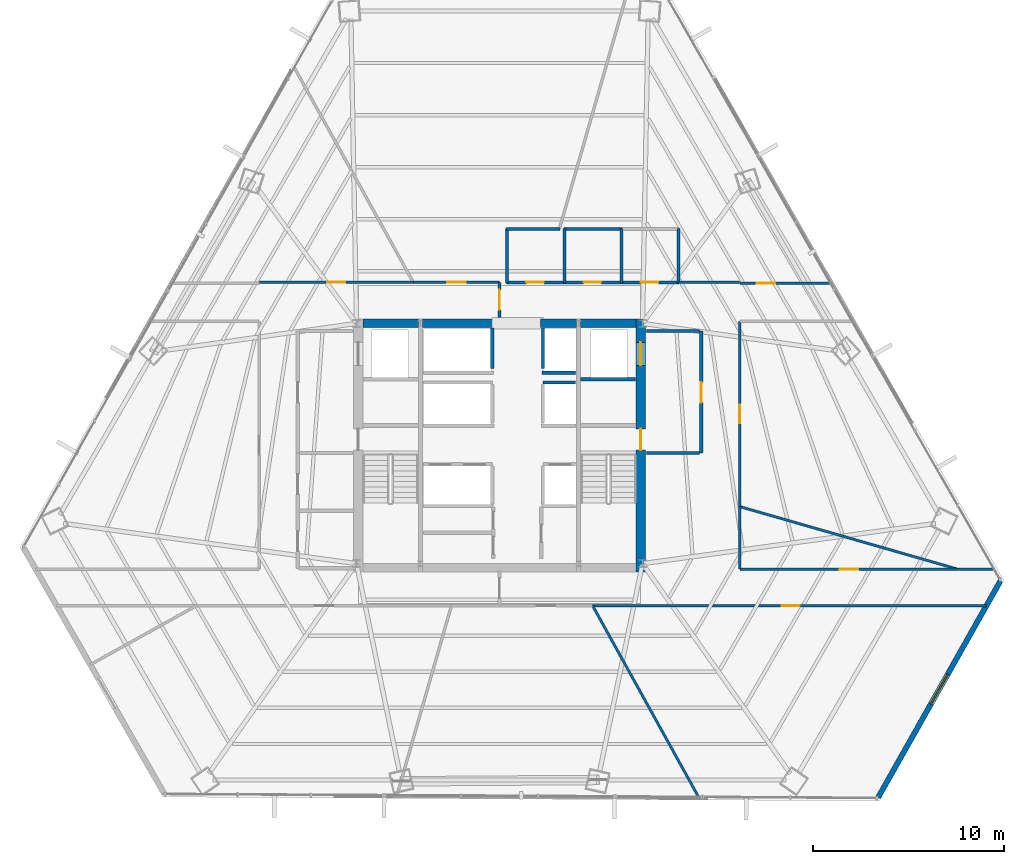
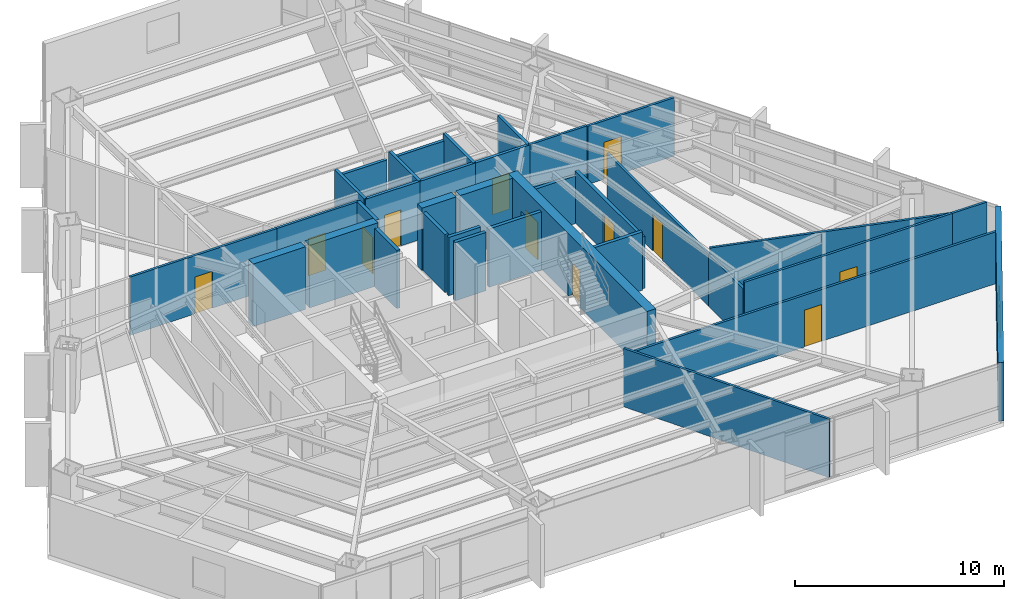
# One storey, part 31 of 35: 35 walls, 13 doors, 1 window, 14 openings.
"""IFC4 building model written with IfcOpenShell, lengths in metres."""

from ifc_helpers import new_model, si_unit, direction, frame, frame_2d, origin, place, context, subcontext, project, spatial, rectangle, extrude, material, layer, layer_set, type_object, element, fill, save


model = new_model("IFC4")

# Units and contexts
model_context = context("Model", 3, precision=1e-05, world=origin(), true_north=direction((0.0, 1.0)))
body_context = subcontext(model_context, "Body", "Model", "MODEL_VIEW")
ifc_project = project(units=[si_unit("LENGTHUNIT", "METRE"), si_unit("AREAUNIT", "SQUARE_METRE"), si_unit("VOLUMEUNIT", "CUBIC_METRE"), si_unit("PLANEANGLEUNIT", "RADIAN"), si_unit("MASSUNIT", "GRAM", prefix="KILO")], contexts=[model_context])

# Site, building, storey
site_placement = place(None, origin())
site = spatial("IfcSite", under=ifc_project, at=site_placement, CompositionType="ELEMENT")
building_placement = place(site_placement, origin())
building = spatial("IfcBuilding", under=site, at=building_placement, Name="Caelisora Broadcast Tower", CompositionType="ELEMENT")
storey_placement = place(building_placement, frame((0.0, 0.0, 87.14990234375)))
storey = spatial("IfcBuildingStorey", under=building, at=storey_placement, Name="L22", CompositionType="ELEMENT", Elevation=87.14990234375)

# Wall, openings, doors
ifc_material_1 = material(Name="Concrete 50 MPa (AS 3600 S50)", Category="concrete")
ifc_layer_1 = layer(ifc_material_1, 0.5, Name="Concrete 50 MPa (AS 3600 S50)")
ifc_layer_set_1 = layer_set([ifc_layer_1], Name="Concrete 50 MPa (AS 3600 S50)")
wall_type_1 = type_object("IfcWallType", Name="CW2", PredefinedType="SHEAR", material=ifc_layer_set_1)
wall_1_placement = place(storey_placement, frame((45.409912109375, 16.949951171875, 0.0), z_axis=(0.0, 0.0, 1.0), x_axis=(0.0, 1.0, 0.0)))
wall_1 = element("IfcWall", 1, at=wall_1_placement, inside=storey, type_object=wall_type_1, Name="L22 core shear wall CW2", PredefinedType="SHEAR", context=body_context, shape_type="SweptSolid", body=[
    extrude(rectangle(XDim=13.275146484375, YDim=0.5, at=frame_2d((6.6376953125, 0.0))), origin(), (0.0, 0.0, 1.0), 3.650146484375),
])
opening_1_placement = place(wall_1_placement, frame((6.39990234375, 0.0, 0.0)))
opening_1 = element("IfcOpeningElement", 2, at=opening_1_placement, cuts=wall_1, Name="Opening FD04", PredefinedType="OPENING", context=body_context, shape_type="SweptSolid", body=[
    extrude(rectangle(XDim=1.1201171875, YDim=2.14990234375, at=frame_2d((0.56005859375, 1.074951171875))), frame((0.0, 0.261962890625, 0.0), z_axis=(0.0, -1.0, 0.0), x_axis=(1.0, 0.0, 0.0)), (0.0, 0.0, 1.0), 0.52392578125),
])
opening_2_placement = place(wall_1_placement, frame((10.85009765625, 0.0, 0.0)))
opening_2 = element("IfcOpeningElement", 3, at=opening_2_placement, cuts=wall_1, Name="Opening LD04", PredefinedType="OPENING", context=body_context, shape_type="SweptSolid", body=[
    extrude(rectangle(XDim=1.199951171875, YDim=2.199951171875, at=frame_2d((0.60009765625, 1.10009765625))), frame((0.0, 0.261962890625, 0.0), z_axis=(0.0, -1.0, 0.0), x_axis=(1.0, 0.0, 0.0)), (0.0, 0.0, 1.0), 0.52392578125),
])
ifc_material_2 = material(Name="Pressurised Fire-Isolated Stair Door", Category="steel")
door_type_1 = type_object("IfcDoorType", Name="FD04", OperationType="NOTDEFINED", PredefinedType="DOOR", material=ifc_material_2)
door_1_placement = place(opening_1_placement, origin())
door_1 = element("IfcDoor", 4, at=door_1_placement, inside=storey, type_object=door_type_1, Name="L22 door FD04 (L22-DR-ST2)", OperationType="SINGLE_SWING_RIGHT", OverallHeight=2.14990234375, OverallWidth=1.1201171875, PredefinedType="DOOR", context=body_context, shape_type="SweptSolid", body=[
    extrude(rectangle(XDim=1.1201171875, YDim=2.14990234375, at=frame_2d((0.56005859375, 1.074951171875))), frame((0.0, 0.02490234375, 0.0), z_axis=(0.0, -1.0, 0.0), x_axis=(1.0, 0.0, 0.0)), (0.0, 0.0, 1.0), 0.050048828125),
])
fill(opening_1, door_1)
ifc_material_3 = material(Name="Emergency Firefighting Lift Sliding Landing Door", Category="steel")
door_type_2 = type_object("IfcDoorType", Name="LD04", OperationType="NOTDEFINED", PredefinedType="DOOR", material=ifc_material_3)
door_2_placement = place(opening_2_placement, origin())
door_2 = element("IfcDoor", 5, at=door_2_placement, inside=storey, type_object=door_type_2, Name="L22 door LD04 (L22-LD-FFL2)", OperationType="SLIDING_TO_RIGHT", OverallHeight=2.199951171875, OverallWidth=1.199951171875, PredefinedType="DOOR", context=body_context, shape_type="SweptSolid", body=[
    extrude(rectangle(XDim=1.199951171875, YDim=2.199951171875, at=frame_2d((0.60009765625, 1.10009765625))), frame((0.0, 0.02490234375, 0.0), z_axis=(0.0, -1.0, 0.0), x_axis=(1.0, 0.0, 0.0)), (0.0, 0.0, 1.0), 0.050048828125),
])
fill(opening_2, door_2)

# Walls
ifc_layer_2 = layer(ifc_material_1, 0.449951171875, Name="Concrete 50 MPa (AS 3600 S50)")
ifc_layer_set_2 = layer_set([ifc_layer_2], Name="Concrete 50 MPa (AS 3600 S50)")
wall_type_2 = type_object("IfcWallType", Name="CW5", PredefinedType="SHEAR", material=ifc_layer_set_2)
wall_2_placement = place(storey_placement, frame((30.840087890625, 30.0, 0.0), z_axis=(0.0, 0.0, 1.0), x_axis=(1.0, 0.0, 0.0)))
element("IfcWall", 6, at=wall_2_placement, inside=storey, type_object=wall_type_2, Name="L22 core shear wall CW5", PredefinedType="SHEAR", context=body_context, shape_type="SweptSolid", body=[
    extrude(rectangle(XDim=2.89990234375, YDim=0.449951171875, at=frame_2d((1.449951171875, 0.0))), origin(), (0.0, 0.0, 1.0), 3.650146484375),
])
wall_3_placement = place(storey_placement, frame((33.9599609375, 30.0, 0.0), z_axis=(0.0, 0.0, 1.0), x_axis=(1.0, 0.0, 0.0)))
element("IfcWall", 7, at=wall_3_placement, inside=storey, type_object=wall_type_2, Name="L22 core shear wall CW5", PredefinedType="SHEAR", context=body_context, shape_type="SweptSolid", body=[
    extrude(rectangle(XDim=3.780029296875, YDim=0.449951171875, at=frame_2d((1.89013671875, 0.0))), origin(), (0.0, 0.0, 1.0), 3.650146484375),
])
wall_4_placement = place(storey_placement, frame((40.159912109375, 30.0, 0.0), z_axis=(0.0, 0.0, 1.0), x_axis=(1.0, 0.0, 0.0)))
element("IfcWall", 8, at=wall_4_placement, inside=storey, type_object=wall_type_2, Name="L22 core shear wall CW5", PredefinedType="SHEAR", context=body_context, shape_type="SweptSolid", body=[
    extrude(rectangle(XDim=1.880126953125, YDim=0.449951171875, at=frame_2d((0.93994140625, 0.0))), origin(), (0.0, 0.0, 1.0), 3.650146484375),
])
wall_5_placement = place(storey_placement, frame((42.260009765625, 30.0, 0.0), z_axis=(0.0, 0.0, 1.0), x_axis=(1.0, 0.0, 0.0)))
element("IfcWall", 9, at=wall_5_placement, inside=storey, type_object=wall_type_2, Name="L22 core shear wall CW5", PredefinedType="SHEAR", context=body_context, shape_type="SweptSolid", body=[
    extrude(rectangle(XDim=2.89990234375, YDim=0.449951171875, at=frame_2d((1.449951171875, 0.0))), origin(), (0.0, 0.0, 1.0), 3.650146484375),
])

# Wall, opening, window
ifc_material_4 = material(Name="Insulated Terracotta Spandrel Wall System", Category="masonry")
ifc_layer_3 = layer(ifc_material_4, 0.280029296875, Name="Insulated Terracotta Spandrel Wall System")
ifc_layer_set_3 = layer_set([ifc_layer_3], Name="Insulated Terracotta Spandrel Wall System")
wall_type_3 = type_object("IfcWallType", Name="EW1", PredefinedType="STANDARD", material=ifc_layer_set_3)
wall_6_placement = place(storey_placement, frame((64.274169921875, 16.489013671875, 0.0), z_axis=(0.0, 0.0, 1.0), x_axis=(-0.491673093899, -0.870779862385, 0.0)))
wall_6 = element("IfcWall", 10, at=wall_6_placement, inside=storey, type_object=wall_type_3, Name="L22 exterior envelope wall EW1", PredefinedType="STANDARD", context=body_context, shape_type="SweptSolid", body=[
    extrude(rectangle(XDim=13.0478515625, YDim=0.280029296875, at=frame_2d((6.52392578125, 0.0))), origin(), (0.0, 0.0, 1.0), 3.400146484375),
])
opening_3_placement = place(wall_6_placement, frame((5.6201171875, 0.0, 0.89990234375)))
opening_3 = element("IfcOpeningElement", 11, at=opening_3_placement, cuts=wall_6, Name="Opening W01", PredefinedType="OPENING", context=body_context, shape_type="SweptSolid", body=[
    extrude(rectangle(XDim=1.800048828125, YDim=1.800048828125, at=frame_2d((0.89990234375, 0.89990234375))), frame((0.0, 0.152099609375, 0.0), z_axis=(0.0, -1.0, 0.0), x_axis=(1.0, 0.0, 0.0)), (0.0, 0.0, 1.0), 0.303955078125),
])
ifc_material_5 = material(Name="Double Glazed Terracotta-Framed Vision Window", Category="glass")
window_type = type_object("IfcWindowType", Name="W01", PartitioningType="SINGLE_PANEL", PredefinedType="WINDOW", material=ifc_material_5)
window_placement = place(opening_3_placement, origin())
window = element("IfcWindow", 12, at=window_placement, inside=storey, type_object=window_type, Name="L22 window W01 (L22-WN-CH0)", OverallHeight=1.800048828125, OverallWidth=1.800048828125, PartitioningType="SINGLE_PANEL", PredefinedType="WINDOW", context=body_context, shape_type="SweptSolid", body=[
    extrude(rectangle(XDim=1.800048828125, YDim=1.800048828125, at=frame_2d((0.89990234375, 0.89990234375))), frame((0.0, 0.030029296875, 0.0), z_axis=(0.0, -1.0, 0.0), x_axis=(1.0, 0.0, 0.0)), (0.0, 0.0, 1.0), 0.06005859375),
])
fill(opening_3, window)

# Walls
ifc_material_6 = material(Name="Fire-Rated Gypsum Shaft and Compartment Wall", Category="gypsum")
ifc_layer_4 = layer(ifc_material_6, 0.179931640625, Name="Fire-Rated Gypsum Shaft and Compartment Wall")
ifc_layer_set_4 = layer_set([ifc_layer_4], Name="Fire-Rated Gypsum Shaft and Compartment Wall")
wall_type_4 = type_object("IfcWallType", Name="PW2", PredefinedType="PARTITIONING", material=ifc_layer_set_4)
wall_7_placement = place(storey_placement, frame((40.280029296875, 26.89990234375, 0.0), z_axis=(0.0, 0.0, 1.0), x_axis=(1.0, 0.0, 0.0)))
element("IfcWall", 13, at=wall_7_placement, inside=storey, type_object=wall_type_4, Name="L22 fire compartment wall PW2", PredefinedType="PARTITIONING", context=body_context, shape_type="SweptSolid", body=[
    extrude(rectangle(XDim=1.699951171875, YDim=0.179931640625, at=frame_2d((0.85009765625, 0.0))), origin(), (0.0, 0.0, 1.0), 3.400146484375),
])
wall_8_placement = place(storey_placement, frame((40.219970703125, 27.419921875, 0.0), z_axis=(0.0, 0.0, 1.0), x_axis=(1.0, 0.0, 0.0)))
element("IfcWall", 14, at=wall_8_placement, inside=storey, type_object=wall_type_4, Name="L22 fire compartment wall PW2", PredefinedType="PARTITIONING", context=body_context, shape_type="SweptSolid", body=[
    extrude(rectangle(XDim=1.760009765625, YDim=0.179931640625, at=frame_2d((0.8798828125, 0.0))), origin(), (0.0, 0.0, 1.0), 3.400146484375),
])
for number, where, z_axis, x_axis, name in (
    (15, (37.6201171875, 27.639892578125, 0.0), (0.0, 0.0, 1.0), (0.0, 1.0, 0.0), "L22 fire compartment wall PW2"),
    (16, (40.280029296875, 27.639892578125, 0.0), (0.0, 0.0, 1.0), (0.0, 1.0, 0.0), "L22 fire compartment wall PW2"),
):
    element("IfcWall", number, at=place(storey_placement, frame(where, z_axis=z_axis, x_axis=x_axis)), inside=storey, type_object=wall_type_4, Name=name, PredefinedType="PARTITIONING", context=body_context, shape_type="SweptSolid", body=[
        extrude(rectangle(XDim=2.110107421875, YDim=0.179931640625, at=frame_2d((1.05517578125, 0.0))), origin(), (0.0, 0.0, 1.0), 3.400146484375),
    ])

# Wall, opening, door
wall_9_placement = place(storey_placement, frame((48.580078125, 23.199951171875, 0.0), z_axis=(0.0, 0.0, 1.0), x_axis=(0.0, 1.0, 0.0)))
wall_9 = element("IfcWall", 17, at=wall_9_placement, inside=storey, type_object=wall_type_4, Name="L22 fire compartment wall PW2", PredefinedType="PARTITIONING", context=body_context, shape_type="SweptSolid", body=[
    extrude(rectangle(XDim=6.400146484375, YDim=0.179931640625, at=frame_2d((3.2001953125, 0.0))), origin(), (0.0, 0.0, 1.0), 3.026611328125),
])
opening_4_placement = place(wall_9_placement, frame((2.64990234375, 0.0, 0.0)))
opening_4 = element("IfcOpeningElement", 18, at=opening_4_placement, cuts=wall_9, Name="Opening FD02", PredefinedType="OPENING", context=body_context, shape_type="SweptSolid", body=[
    extrude(rectangle(XDim=1.050048828125, YDim=2.14990234375, at=frame_2d((0.52490234375, 1.074951171875))), frame((0.0, 0.10205078125, 0.0), z_axis=(0.0, -1.0, 0.0), x_axis=(1.0, 0.0, 0.0)), (0.0, 0.0, 1.0), 0.203857421875),
])
ifc_material_7 = material(Name="Single-Leaf Steel Fire Lobby Door", Category="steel")
door_type_3 = type_object("IfcDoorType", Name="FD02", OperationType="NOTDEFINED", PredefinedType="DOOR", material=ifc_material_7)
door_3_placement = place(opening_4_placement, origin())
door_3 = element("IfcDoor", 19, at=door_3_placement, inside=storey, type_object=door_type_3, Name="L22 door FD02 (L22-DR-P04D1)", OperationType="SINGLE_SWING_RIGHT", OverallHeight=2.14990234375, OverallWidth=1.050048828125, PredefinedType="DOOR", context=body_context, shape_type="SweptSolid", body=[
    extrude(rectangle(XDim=1.050048828125, YDim=2.14990234375, at=frame_2d((0.52490234375, 1.074951171875))), frame((0.0, 0.02490234375, 0.0), z_axis=(0.0, -1.0, 0.0), x_axis=(1.0, 0.0, 0.0)), (0.0, 0.0, 1.0), 0.050048828125),
])
fill(opening_4, door_3)

# Walls
wall_10_placement = place(storey_placement, frame((45.719970703125, 23.199951171875, 0.0), z_axis=(0.0, 0.0, 1.0), x_axis=(1.0, 0.0, 0.0)))
element("IfcWall", 20, at=wall_10_placement, inside=storey, type_object=wall_type_4, Name="L22 fire compartment wall PW2", PredefinedType="PARTITIONING", context=body_context, shape_type="SweptSolid", body=[
    extrude(rectangle(XDim=2.760009765625, YDim=0.179931640625, at=frame_2d((1.3798828125, 0.0))), origin(), (0.0, 0.0, 1.0), 3.400146484375),
])
wall_11_placement = place(storey_placement, frame((45.719970703125, 29.60009765625, 0.0), z_axis=(0.0, 0.0, 1.0), x_axis=(1.0, 0.0, 0.0)))
element("IfcWall", 21, at=wall_11_placement, inside=storey, type_object=wall_type_4, Name="L22 fire compartment wall PW2", PredefinedType="PARTITIONING", context=body_context, shape_type="SweptSolid", body=[
    extrude(rectangle(XDim=2.760009765625, YDim=0.179931640625, at=frame_2d((1.3798828125, 0.0))), origin(), (0.0, 0.0, 1.0), 2.782958984375),
])
wall_12_placement = place(storey_placement, frame((42.239990234375, 27.070068359375, 0.0), z_axis=(0.0, 0.0, 1.0), x_axis=(1.0, 0.0, 0.0)))
element("IfcWall", 22, at=wall_12_placement, inside=storey, type_object=wall_type_4, Name="L22 fire compartment wall PW2", PredefinedType="PARTITIONING", context=body_context, shape_type="SweptSolid", body=[
    extrude(rectangle(XDim=2.89990234375, YDim=0.179931640625, at=frame_2d((1.449951171875, 0.0))), origin(), (0.0, 0.0, 1.0), 3.400146484375),
])

# Wall, opening, door
wall_13_placement = place(storey_placement, frame((38.0, 30.320068359375, 0.0), z_axis=(0.0, 0.0, 1.0), x_axis=(0.0, 1.0, 0.0)))
wall_13 = element("IfcWall", 23, at=wall_13_placement, inside=storey, type_object=wall_type_4, Name="L22 fire compartment wall PW2", PredefinedType="PARTITIONING", context=body_context, shape_type="SweptSolid", body=[
    extrude(rectangle(XDim=1.824951171875, YDim=0.179931640625, at=frame_2d((0.91259765625, 0.0))), origin(), (0.0, 0.0, 1.0), 3.400146484375),
])
opening_5_placement = place(wall_13_placement, frame((0.387939453125, 0.0, 0.0)))
opening_5 = element("IfcOpeningElement", 24, at=opening_5_placement, cuts=wall_13, Name="Opening FD02", PredefinedType="OPENING", context=body_context, shape_type="SweptSolid", body=[
    extrude(rectangle(XDim=1.050048828125, YDim=2.14990234375, at=frame_2d((0.52490234375, 1.074951171875))), frame((0.0, 0.10205078125, 0.0), z_axis=(0.0, -1.0, 0.0), x_axis=(1.0, 0.0, 0.0)), (0.0, 0.0, 1.0), 0.203857421875),
])
door_4_placement = place(opening_5_placement, origin())
door_4 = element("IfcDoor", 25, at=door_4_placement, inside=storey, type_object=door_type_3, Name="L22 door FD02 (L22-DR-P52D1)", OperationType="SINGLE_SWING_LEFT", OverallHeight=2.14990234375, OverallWidth=1.050048828125, PredefinedType="DOOR", context=body_context, shape_type="SweptSolid", body=[
    extrude(rectangle(XDim=1.050048828125, YDim=2.14990234375, at=frame_2d((0.52490234375, 1.074951171875))), frame((0.0, 0.02490234375, 0.0), z_axis=(0.0, -1.0, 0.0), x_axis=(1.0, 0.0, 0.0)), (0.0, 0.0, 1.0), 0.050048828125),
])
fill(opening_5, door_4)

ifc_material_8 = material(Name="Acoustic Steel-Stud Plasterboard Partition", Category="gypsum")
ifc_layer_5 = layer(ifc_material_8, 0.1298828125, Name="Acoustic Steel-Stud Plasterboard Partition")
ifc_layer_set_5 = layer_set([ifc_layer_5], Name="Acoustic Steel-Stud Plasterboard Partition")
wall_type_5 = type_object("IfcWallType", Name="PW3", PredefinedType="PARTITIONING", material=ifc_layer_set_5)
wall_14_placement = place(storey_placement, frame((42.885009765625, 15.199951171875, 0.0), z_axis=(0.0, 0.0, 1.0), x_axis=(1.0, 0.0, 0.0)))
wall_14 = element("IfcWall", 26, at=wall_14_placement, inside=storey, type_object=wall_type_5, Name="L22 internal partition PW3", PredefinedType="PARTITIONING", context=body_context, shape_type="SweptSolid", body=[
    extrude(rectangle(XDim=20.667724609375, YDim=0.1298828125, at=frame_2d((10.333984375, 0.0))), origin(), (0.0, 0.0, 1.0), 3.026611328125),
])
opening_6_placement = place(wall_14_placement, frame((9.906982421875, 0.0, 0.0)))
opening_6 = element("IfcOpeningElement", 27, at=opening_6_placement, cuts=wall_14, Name="Opening D01", PredefinedType="OPENING", context=body_context, shape_type="SweptSolid", body=[
    extrude(rectangle(XDim=0.9599609375, YDim=2.14990234375, at=frame_2d((0.47998046875, 1.074951171875))), frame((0.0, 0.076904296875, 0.0), z_axis=(0.0, -1.0, 0.0), x_axis=(1.0, 0.0, 0.0)), (0.0, 0.0, 1.0), 0.15380859375),
])
ifc_material_9 = material(Name="Solid-Core Timber Acoustic Office Door", Category="wood")
door_type_4 = type_object("IfcDoorType", Name="D01", OperationType="NOTDEFINED", PredefinedType="DOOR", material=ifc_material_9)
door_5_placement = place(opening_6_placement, origin())
door_5 = element("IfcDoor", 28, at=door_5_placement, inside=storey, type_object=door_type_4, Name="L22 door D01 (L22-DR-P27D1)", OperationType="SINGLE_SWING_LEFT", OverallHeight=2.14990234375, OverallWidth=0.9599609375, PredefinedType="DOOR", context=body_context, shape_type="SweptSolid", body=[
    extrude(rectangle(XDim=0.9599609375, YDim=2.14990234375, at=frame_2d((0.47998046875, 1.074951171875))), frame((0.0, 0.02490234375, 0.0), z_axis=(0.0, -1.0, 0.0), x_axis=(1.0, 0.0, 0.0)), (0.0, 0.0, 1.0), 0.050048828125),
])
fill(opening_6, door_5)

# Walls
wall_15_placement = place(storey_placement, frame((50.60498046875, 20.388916015625, 0.0), z_axis=(0.0, 0.0, 1.0), x_axis=(0.961158846522, -0.27599578213, 0.0)))
element("IfcWall", 29, at=wall_15_placement, inside=storey, type_object=wall_type_5, Name="L22 internal partition PW3", PredefinedType="PARTITIONING", context=body_context, shape_type="SweptSolid", body=[
    extrude(rectangle(XDim=11.91259765625, YDim=0.1298828125, at=frame_2d((5.956298828125, 0.0))), origin(), (0.0, 0.0, 1.0), 3.400146484375),
])
wall_16_placement = place(storey_placement, frame((42.882080078125, 15.196044921875, 0.0), z_axis=(0.0, 0.0, 1.0), x_axis=(0.48440798197, -0.874842218348, 0.0)))
element("IfcWall", 30, at=wall_16_placement, inside=storey, type_object=wall_type_5, Name="L22 internal partition PW3", PredefinedType="PARTITIONING", context=body_context, shape_type="SweptSolid", body=[
    extrude(rectangle(XDim=11.485595703125, YDim=0.1298828125, at=frame_2d((5.74267578125, 0.0))), origin(), (0.0, 0.0, 1.0), 3.400146484375),
])

# Wall, opening, door
wall_17_placement = place(storey_placement, frame((62.054931640625, 17.10009765625, 0.0), z_axis=(0.0, 0.0, 1.0), x_axis=(-1.0, 0.0, 0.0)))
wall_17 = element("IfcWall", 31, at=wall_17_placement, inside=storey, type_object=wall_type_5, Name="L22 internal partition PW3", PredefinedType="PARTITIONING", context=body_context, shape_type="SweptSolid", body=[
    extrude(rectangle(XDim=11.449951171875, YDim=0.1298828125, at=frame_2d((5.72509765625, 0.0))), origin(), (0.0, 0.0, 1.0), 3.400146484375),
])
opening_7_placement = place(wall_17_placement, frame((5.2451171875, 0.0, 0.0)))
opening_7 = element("IfcOpeningElement", 32, at=opening_7_placement, cuts=wall_17, Name="Opening D01", PredefinedType="OPENING", context=body_context, shape_type="SweptSolid", body=[
    extrude(rectangle(XDim=0.9599609375, YDim=2.14990234375, at=frame_2d((0.47998046875, 1.074951171875))), frame((0.0, 0.076904296875, 0.0), z_axis=(0.0, -1.0, 0.0), x_axis=(1.0, 0.0, 0.0)), (0.0, 0.0, 1.0), 0.15380859375),
])
door_6_placement = place(opening_7_placement, origin())
door_6 = element("IfcDoor", 33, at=door_6_placement, inside=storey, type_object=door_type_4, Name="L22 door D01 (L22-DR-P35D1)", OperationType="SINGLE_SWING_RIGHT", OverallHeight=2.14990234375, OverallWidth=0.9599609375, PredefinedType="DOOR", context=body_context, shape_type="SweptSolid", body=[
    extrude(rectangle(XDim=0.9599609375, YDim=2.14990234375, at=frame_2d((0.47998046875, 1.074951171875))), frame((0.0, 0.02490234375, 0.0), z_axis=(0.0, -1.0, 0.0), x_axis=(1.0, 0.0, 0.0)), (0.0, 0.0, 1.0), 0.050048828125),
])
fill(opening_7, door_6)

wall_18_placement = place(storey_placement, frame((50.60009765625, 20.39501953125, 0.0), z_axis=(0.0, 0.0, 1.0), x_axis=(0.0, 1.0, 0.0)))
wall_18 = element("IfcWall", 34, at=wall_18_placement, inside=storey, type_object=wall_type_5, Name="L22 internal partition PW3", PredefinedType="PARTITIONING", context=body_context, shape_type="SweptSolid", body=[
    extrude(rectangle(XDim=9.699951171875, YDim=0.1298828125, at=frame_2d((4.85009765625, 0.0))), origin(), (0.0, 0.0, 1.0), 3.026611328125),
])
opening_8_placement = place(wall_18_placement, frame((4.3701171875, 0.0, 0.0)))
opening_8 = element("IfcOpeningElement", 35, at=opening_8_placement, cuts=wall_18, Name="Opening D01", PredefinedType="OPENING", context=body_context, shape_type="SweptSolid", body=[
    extrude(rectangle(XDim=0.9599609375, YDim=2.14990234375, at=frame_2d((0.47998046875, 1.074951171875))), frame((0.0, 0.076904296875, 0.0), z_axis=(0.0, -1.0, 0.0), x_axis=(1.0, 0.0, 0.0)), (0.0, 0.0, 1.0), 0.15380859375),
])
door_7_placement = place(opening_8_placement, origin())
door_7 = element("IfcDoor", 36, at=door_7_placement, inside=storey, type_object=door_type_4, Name="L22 door D01 (L22-DR-P37D1)", OperationType="SINGLE_SWING_LEFT", OverallHeight=2.14990234375, OverallWidth=0.9599609375, PredefinedType="DOOR", context=body_context, shape_type="SweptSolid", body=[
    extrude(rectangle(XDim=0.9599609375, YDim=2.14990234375, at=frame_2d((0.47998046875, 1.074951171875))), frame((0.0, 0.02490234375, 0.0), z_axis=(0.0, -1.0, 0.0), x_axis=(1.0, 0.0, 0.0)), (0.0, 0.0, 1.0), 0.050048828125),
])
fill(opening_8, door_7)

wall_19_placement = place(storey_placement, frame((25.405029296875, 32.14990234375, 0.0), z_axis=(0.0, 0.0, 1.0), x_axis=(1.0, 0.0, 0.0)))
wall_19 = element("IfcWall", 37, at=wall_19_placement, inside=storey, type_object=wall_type_5, Name="L22 internal partition PW3", PredefinedType="PARTITIONING", context=body_context, shape_type="SweptSolid", body=[
    extrude(rectangle(XDim=8.070068359375, YDim=0.1298828125, at=frame_2d((4.03515625, 0.0))), origin(), (0.0, 0.0, 1.0), 3.400146484375),
])
opening_9_placement = place(wall_19_placement, frame((3.554931640625, 0.0, 0.0)))
opening_9 = element("IfcOpeningElement", 38, at=opening_9_placement, cuts=wall_19, Name="Opening D01", PredefinedType="OPENING", context=body_context, shape_type="SweptSolid", body=[
    extrude(rectangle(XDim=0.9599609375, YDim=2.14990234375, at=frame_2d((0.47998046875, 1.074951171875))), frame((0.0, 0.076904296875, 0.0), z_axis=(0.0, -1.0, 0.0), x_axis=(1.0, 0.0, 0.0)), (0.0, 0.0, 1.0), 0.15380859375),
])
door_8_placement = place(opening_9_placement, origin())
door_8 = element("IfcDoor", 39, at=door_8_placement, inside=storey, type_object=door_type_4, Name="L22 door D01 (L22-DR-P38D1)", OperationType="SINGLE_SWING_RIGHT", OverallHeight=2.14990234375, OverallWidth=0.9599609375, PredefinedType="DOOR", context=body_context, shape_type="SweptSolid", body=[
    extrude(rectangle(XDim=0.9599609375, YDim=2.14990234375, at=frame_2d((0.47998046875, 1.074951171875))), frame((0.0, 0.02490234375, 0.0), z_axis=(0.0, -1.0, 0.0), x_axis=(1.0, 0.0, 0.0)), (0.0, 0.0, 1.0), 0.050048828125),
])
fill(opening_9, door_8)

wall_20_placement = place(storey_placement, frame((50.60498046875, 32.10009765625, 0.0), z_axis=(0.0, 0.0, 1.0), x_axis=(1.0, 0.0, 0.0)))
wall_20 = element("IfcWall", 40, at=wall_20_placement, inside=storey, type_object=wall_type_5, Name="L22 internal partition PW3", PredefinedType="PARTITIONING", context=body_context, shape_type="SweptSolid", body=[
    extrude(rectangle(XDim=4.7744140625, YDim=0.1298828125, at=frame_2d((2.38720703125, 0.0))), origin(), (0.0, 0.0, 1.0), 3.400146484375),
])
opening_10_placement = place(wall_20_placement, frame((0.89990234375, 0.0, 0.0)))
opening_10 = element("IfcOpeningElement", 41, at=opening_10_placement, cuts=wall_20, Name="Opening D01", PredefinedType="OPENING", context=body_context, shape_type="SweptSolid", body=[
    extrude(rectangle(XDim=0.9599609375, YDim=2.14990234375, at=frame_2d((0.47998046875, 1.074951171875))), frame((0.0, 0.076904296875, 0.0), z_axis=(0.0, -1.0, 0.0), x_axis=(1.0, 0.0, 0.0)), (0.0, 0.0, 1.0), 0.15380859375),
])
door_9_placement = place(opening_10_placement, origin())
door_9 = element("IfcDoor", 42, at=door_9_placement, inside=storey, type_object=door_type_4, Name="L22 door D01 (L22-DR-P43D1)", OperationType="SINGLE_SWING_LEFT", OverallHeight=2.14990234375, OverallWidth=0.9599609375, PredefinedType="DOOR", context=body_context, shape_type="SweptSolid", body=[
    extrude(rectangle(XDim=0.9599609375, YDim=2.14990234375, at=frame_2d((0.47998046875, 1.074951171875))), frame((0.0, 0.02490234375, 0.0), z_axis=(0.0, -1.0, 0.0), x_axis=(1.0, 0.0, 0.0)), (0.0, 0.0, 1.0), 0.050048828125),
])
fill(opening_10, door_9)

wall_21_placement = place(storey_placement, frame((33.485107421875, 32.14990234375, 0.0), z_axis=(0.0, 0.0, 1.0), x_axis=(1.0, 0.0, 0.0)))
wall_21 = element("IfcWall", 43, at=wall_21_placement, inside=storey, type_object=wall_type_5, Name="L22 internal partition PW3", PredefinedType="PARTITIONING", context=body_context, shape_type="SweptSolid", body=[
    extrude(rectangle(XDim=4.510009765625, YDim=0.1298828125, at=frame_2d((2.2548828125, 0.0))), origin(), (0.0, 0.0, 1.0), 3.400146484375),
])
opening_11_placement = place(wall_21_placement, frame((1.77490234375, 0.0, 0.0)))
opening_11 = element("IfcOpeningElement", 44, at=opening_11_placement, cuts=wall_21, Name="Opening D01", PredefinedType="OPENING", context=body_context, shape_type="SweptSolid", body=[
    extrude(rectangle(XDim=0.9599609375, YDim=2.14990234375, at=frame_2d((0.47998046875, 1.074951171875))), frame((0.0, 0.076904296875, 0.0), z_axis=(0.0, -1.0, 0.0), x_axis=(1.0, 0.0, 0.0)), (0.0, 0.0, 1.0), 0.15380859375),
])
door_10_placement = place(opening_11_placement, origin())
door_10 = element("IfcDoor", 45, at=door_10_placement, inside=storey, type_object=door_type_4, Name="L22 door D01 (L22-DR-P46D1)", OperationType="SINGLE_SWING_LEFT", OverallHeight=2.14990234375, OverallWidth=0.9599609375, PredefinedType="DOOR", context=body_context, shape_type="SweptSolid", body=[
    extrude(rectangle(XDim=0.9599609375, YDim=2.14990234375, at=frame_2d((0.47998046875, 1.074951171875))), frame((0.0, 0.02490234375, 0.0), z_axis=(0.0, -1.0, 0.0), x_axis=(1.0, 0.0, 0.0)), (0.0, 0.0, 1.0), 0.050048828125),
])
fill(opening_11, door_10)

# Walls
wall_22_placement = place(storey_placement, frame((50.60009765625, 17.10498046875, 0.0), z_axis=(0.0, 0.0, 1.0), x_axis=(0.0, 1.0, 0.0)))
element("IfcWall", 46, at=wall_22_placement, inside=storey, type_object=wall_type_5, Name="L22 internal partition PW3", PredefinedType="PARTITIONING", context=body_context, shape_type="SweptSolid", body=[
    extrude(rectangle(XDim=3.280029296875, YDim=0.1298828125, at=frame_2d((1.64013671875, 0.0))), origin(), (0.0, 0.0, 1.0), 3.026611328125),
])
wall_23_placement = place(storey_placement, frame((47.405029296875, 32.14990234375, 0.0), z_axis=(0.0, 0.0, 1.0), x_axis=(1.0, 0.0, 0.0)))
element("IfcWall", 47, at=wall_23_placement, inside=storey, type_object=wall_type_5, Name="L22 internal partition PW3", PredefinedType="PARTITIONING", context=body_context, shape_type="SweptSolid", body=[
    extrude(rectangle(XDim=3.18994140625, YDim=0.1298828125, at=frame_2d((1.594970703125, 0.0))), origin(), (0.0, 0.0, 1.0), 3.400146484375),
])
wall_24_placement = place(storey_placement, frame((62.06494140625, 17.10009765625, 0.0), z_axis=(0.0, 0.0, 1.0), x_axis=(1.0, 0.0, 0.0)))
element("IfcWall", 48, at=wall_24_placement, inside=storey, type_object=wall_type_5, Name="L22 internal partition PW3", PredefinedType="PARTITIONING", context=body_context, shape_type="SweptSolid", body=[
    extrude(rectangle(XDim=1.895263671875, YDim=0.1298828125, at=frame_2d((0.94775390625, 0.0))), origin(), (0.0, 0.0, 1.0), 3.400146484375),
])

# Wall, opening, door
ifc_material_10 = material(Name="Moisture-Resistant Wet Plumbing Service Wall", Category="gypsum")
ifc_layer_6 = layer(ifc_material_10, 0.159912109375, Name="Moisture-Resistant Wet Plumbing Service Wall")
ifc_layer_set_6 = layer_set([ifc_layer_6], Name="Moisture-Resistant Wet Plumbing Service Wall")
wall_type_6 = type_object("IfcWallType", Name="PW4", PredefinedType="PLUMBINGWALL", material=ifc_layer_set_6)
wall_25_placement = place(storey_placement, frame((38.375, 32.14990234375, 0.0), z_axis=(0.0, 0.0, 1.0), x_axis=(1.0, 0.0, 0.0)))
wall_25 = element("IfcWall", 49, at=wall_25_placement, inside=storey, type_object=wall_type_6, Name="L22 wet plumbing wall PW4", PredefinedType="PLUMBINGWALL", context=body_context, shape_type="SweptSolid", body=[
    extrude(rectangle(XDim=3.050048828125, YDim=0.159912109375, at=frame_2d((1.52490234375, 0.0))), origin(), (0.0, 0.0, 1.0), 3.400146484375),
])
opening_12_placement = place(wall_25_placement, frame((1.034912109375, 0.0, 0.0)))
opening_12 = element("IfcOpeningElement", 50, at=opening_12_placement, cuts=wall_25, Name="Opening D03", PredefinedType="OPENING", context=body_context, shape_type="SweptSolid", body=[
    extrude(rectangle(XDim=0.919921875, YDim=2.10009765625, at=frame_2d((0.4599609375, 1.050048828125))), frame((0.0, 0.092041015625, 0.0), z_axis=(0.0, -1.0, 0.0), x_axis=(1.0, 0.0, 0.0)), (0.0, 0.0, 1.0), 0.183837890625),
])
ifc_material_11 = material(Name="Laminate Moisture-Resistant Amenity WC Door", Category="wood")
door_type_5 = type_object("IfcDoorType", Name="D03", OperationType="NOTDEFINED", PredefinedType="DOOR", material=ifc_material_11)
door_11_placement = place(opening_12_placement, origin())
door_11 = element("IfcDoor", 51, at=door_11_placement, inside=storey, type_object=door_type_5, Name="L22 door D03 (L22-DR-P17D1)", OperationType="SINGLE_SWING_RIGHT", OverallHeight=2.10009765625, OverallWidth=0.919921875, PredefinedType="DOOR", context=body_context, shape_type="SweptSolid", body=[
    extrude(rectangle(XDim=0.919921875, YDim=2.10009765625, at=frame_2d((0.4599609375, 1.050048828125))), frame((0.0, 0.02490234375, 0.0), z_axis=(0.0, -1.0, 0.0), x_axis=(1.0, 0.0, 0.0)), (0.0, 0.0, 1.0), 0.050048828125),
])
fill(opening_12, door_11)

wall_26_placement = place(storey_placement, frame((41.375, 32.14990234375, 0.0), z_axis=(0.0, 0.0, 1.0), x_axis=(1.0, 0.0, 0.0)))
wall_26 = element("IfcWall", 52, at=wall_26_placement, inside=storey, type_object=wall_type_6, Name="L22 wet plumbing wall PW4", PredefinedType="PLUMBINGWALL", context=body_context, shape_type="SweptSolid", body=[
    extrude(rectangle(XDim=3.050048828125, YDim=0.159912109375, at=frame_2d((1.52490234375, 0.0))), origin(), (0.0, 0.0, 1.0), 3.400146484375),
])
opening_13_placement = place(wall_26_placement, frame((1.034912109375, 0.0, 0.0)))
opening_13 = element("IfcOpeningElement", 53, at=opening_13_placement, cuts=wall_26, Name="Opening D03", PredefinedType="OPENING", context=body_context, shape_type="SweptSolid", body=[
    extrude(rectangle(XDim=0.919921875, YDim=2.10009765625, at=frame_2d((0.4599609375, 1.050048828125))), frame((0.0, 0.092041015625, 0.0), z_axis=(0.0, -1.0, 0.0), x_axis=(1.0, 0.0, 0.0)), (0.0, 0.0, 1.0), 0.183837890625),
])
door_12_placement = place(opening_13_placement, origin())
door_12 = element("IfcDoor", 54, at=door_12_placement, inside=storey, type_object=door_type_5, Name="L22 door D03 (L22-DR-P18D1)", OperationType="SINGLE_SWING_LEFT", OverallHeight=2.10009765625, OverallWidth=0.919921875, PredefinedType="DOOR", context=body_context, shape_type="SweptSolid", body=[
    extrude(rectangle(XDim=0.919921875, YDim=2.10009765625, at=frame_2d((0.4599609375, 1.050048828125))), frame((0.0, 0.02490234375, 0.0), z_axis=(0.0, -1.0, 0.0), x_axis=(1.0, 0.0, 0.0)), (0.0, 0.0, 1.0), 0.050048828125),
])
fill(opening_13, door_12)

wall_27_placement = place(storey_placement, frame((44.375, 32.14990234375, 0.0), z_axis=(0.0, 0.0, 1.0), x_axis=(1.0, 0.0, 0.0)))
wall_27 = element("IfcWall", 55, at=wall_27_placement, inside=storey, type_object=wall_type_6, Name="L22 wet plumbing wall PW4", PredefinedType="PLUMBINGWALL", context=body_context, shape_type="SweptSolid", body=[
    extrude(rectangle(XDim=3.050048828125, YDim=0.159912109375, at=frame_2d((1.52490234375, 0.0))), origin(), (0.0, 0.0, 1.0), 3.400146484375),
])
opening_14_placement = place(wall_27_placement, frame((1.034912109375, 0.0, 0.0)))
opening_14 = element("IfcOpeningElement", 56, at=opening_14_placement, cuts=wall_27, Name="Opening D03", PredefinedType="OPENING", context=body_context, shape_type="SweptSolid", body=[
    extrude(rectangle(XDim=0.919921875, YDim=2.10009765625, at=frame_2d((0.4599609375, 1.050048828125))), frame((0.0, 0.092041015625, 0.0), z_axis=(0.0, -1.0, 0.0), x_axis=(1.0, 0.0, 0.0)), (0.0, 0.0, 1.0), 0.183837890625),
])
door_13_placement = place(opening_14_placement, origin())
door_13 = element("IfcDoor", 57, at=door_13_placement, inside=storey, type_object=door_type_5, Name="L22 door D03 (L22-DR-P19D1)", OperationType="SINGLE_SWING_RIGHT", OverallHeight=2.10009765625, OverallWidth=0.919921875, PredefinedType="DOOR", context=body_context, shape_type="SweptSolid", body=[
    extrude(rectangle(XDim=0.919921875, YDim=2.10009765625, at=frame_2d((0.4599609375, 1.050048828125))), frame((0.0, 0.02490234375, 0.0), z_axis=(0.0, -1.0, 0.0), x_axis=(1.0, 0.0, 0.0)), (0.0, 0.0, 1.0), 0.050048828125),
])
fill(opening_14, door_13)

# Walls
wall_28_placement = place(storey_placement, frame((41.375, 34.949951171875, 0.0), z_axis=(0.0, 0.0, 1.0), x_axis=(1.0, 0.0, 0.0)))
element("IfcWall", 58, at=wall_28_placement, inside=storey, type_object=wall_type_6, Name="L22 wet plumbing wall PW4", PredefinedType="PLUMBINGWALL", context=body_context, shape_type="SweptSolid", body=[
    extrude(rectangle(XDim=3.050048828125, YDim=0.159912109375, at=frame_2d((1.52490234375, 0.0))), origin(), (0.0, 0.0, 1.0), 3.026611328125),
])
for number, where, z_axis, x_axis, name in (
    (59, (41.39990234375, 32.125, 0.0), (0.0, 0.0, 1.0), (0.0, 1.0, 0.0), "L22 wet plumbing wall PW4"),
    (60, (38.39990234375, 32.125, 0.0), (0.0, 0.0, 1.0), (0.0, 1.0, 0.0), "L22 wet plumbing wall PW4"),
    (61, (44.39990234375, 32.125, 0.0), (0.0, 0.0, 1.0), (0.0, 1.0, 0.0), "L22 wet plumbing wall PW4"),
    (62, (47.39990234375, 32.125, 0.0), (0.0, 0.0, 1.0), (0.0, 1.0, 0.0), "L22 wet plumbing wall PW4"),
):
    element("IfcWall", number, at=place(storey_placement, frame(where, z_axis=z_axis, x_axis=x_axis)), inside=storey, type_object=wall_type_6, Name=name, PredefinedType="PLUMBINGWALL", context=body_context, shape_type="SweptSolid", body=[
        extrude(rectangle(XDim=2.85009765625, YDim=0.159912109375, at=frame_2d((1.425048828125, 0.0))), origin(), (0.0, 0.0, 1.0), 3.400146484375),
    ])
wall_29_placement = place(storey_placement, frame((38.375, 34.949951171875, 0.0), z_axis=(0.0, 0.0, 1.0), x_axis=(1.0, 0.0, 0.0)))
element("IfcWall", 63, at=wall_29_placement, inside=storey, type_object=wall_type_6, Name="L22 wet plumbing wall PW4", PredefinedType="PLUMBINGWALL", context=body_context, shape_type="SweptSolid", body=[
    extrude(rectangle(XDim=2.7900390625, YDim=0.159912109375, at=frame_2d((1.39501953125, 0.0))), origin(), (0.0, 0.0, 1.0), 3.026611328125),
])

save(model, "model.ifc")
